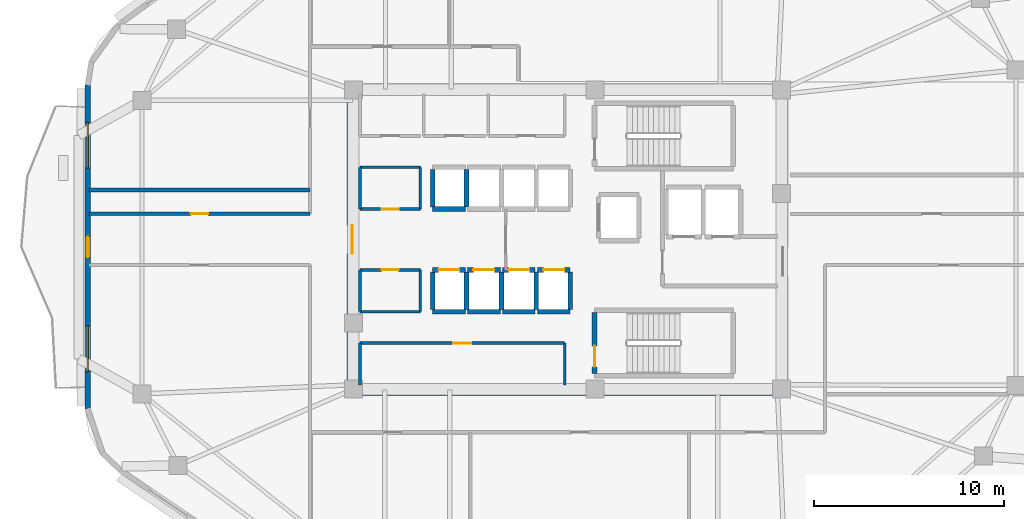
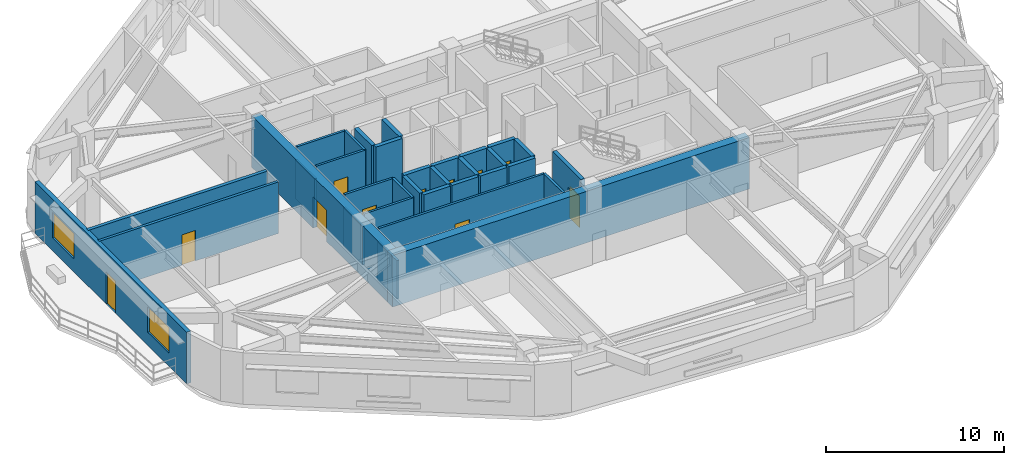
# One storey, part 3 of 9: 33 walls, 11 doors, 2 windows, 13 openings.
"""IFC4 building model written with IfcOpenShell, lengths in metres."""

from ifc_helpers import new_model, si_unit, direction, frame, frame_2d, origin, place, context, subcontext, project, spatial, rectangle, extrude, material, layer, layer_set, type_object, element, fill, save


model = new_model("IFC4")

# Units and contexts
model_context = context("Model", 3, precision=1e-05, world=origin(), true_north=direction((0.0, 1.0)))
body_context = subcontext(model_context, "Body", "Model", "MODEL_VIEW")
ifc_project = project(units=[si_unit("LENGTHUNIT", "METRE"), si_unit("AREAUNIT", "SQUARE_METRE"), si_unit("VOLUMEUNIT", "CUBIC_METRE"), si_unit("PLANEANGLEUNIT", "RADIAN"), si_unit("MASSUNIT", "GRAM", prefix="KILO")], contexts=[model_context])

# Site, building, storey
site_placement = place(None, origin())
site = spatial("IfcSite", under=ifc_project, at=site_placement, CompositionType="ELEMENT")
building_placement = place(site_placement, origin())
building = spatial("IfcBuilding", under=site, at=building_placement, Name="Zulverin Broadcast Headquarters", CompositionType="ELEMENT")
storey_placement = place(building_placement, frame((0.0, 0.0, 197.199951171875)))
storey = spatial("IfcBuildingStorey", under=building, at=storey_placement, Name="L50", CompositionType="ELEMENT", Elevation=197.199951171875)

# Walls
ifc_material_1 = material(Name="Double-stud acoustic drywall", Category="gypsum")
ifc_layer_1 = layer(ifc_material_1, 0.219970703125, Name="Double-stud acoustic drywall", Category="gypsum")
ifc_layer_set_1 = layer_set([ifc_layer_1], Name="Double-stud acoustic drywall")
wall_type_1 = type_object("IfcWallType", Name="WL-ACOU-220", PredefinedType="PARTITIONING", material=ifc_layer_set_1)
wall_1_placement = place(storey_placement, frame((11.804931640625, 27.800048828125, 0.0), z_axis=(0.0, 0.0, 1.0), x_axis=(1.0, 0.0, 0.0)))
element("IfcWall", 1, at=wall_1_placement, inside=storey, type_object=wall_type_1, Name="L50 Room Partition Wall RP-14", PredefinedType="PARTITIONING", context=body_context, shape_type="SweptSolid", body=[
    extrude(rectangle(XDim=11.64501953125, YDim=0.219970703125, at=frame_2d((5.822509765625, 0.0))), origin(), (0.0, 0.0, 1.0), 3.5400390625),
])
ifc_material_2 = material(Name="Concrete C60/75", Category="concrete")
ifc_layer_2 = layer(ifc_material_2, 0.550048828125, Name="Concrete C60/75", Category="concrete")
ifc_layer_set_2 = layer_set([ifc_layer_2], Name="Concrete C60/75")
wall_type_2 = type_object("IfcWallType", Name="WL-CORE-550", PredefinedType="SHEAR", material=ifc_layer_set_2)
wall_2_placement = place(storey_placement, frame((25.39990234375, 17.27490234375, 0.0), z_axis=(0.0, 0.0, 1.0), x_axis=(1.0, 0.0, 0.0)))
element("IfcWall", 2, at=wall_2_placement, inside=storey, type_object=wall_type_2, Name="L50 Core South Shear Wall", PredefinedType="SHEAR", context=body_context, shape_type="SweptSolid", body=[
    extrude(rectangle(XDim=23.2001953125, YDim=0.550048828125, at=frame_2d((11.60009765625, 0.0))), origin(), (0.0, 0.0, 1.0), 3.5400390625),
])

# Wall, opening, door
wall_3_placement = place(storey_placement, frame((25.675048828125, 17.550048828125, 0.0), z_axis=(0.0, 0.0, 1.0), x_axis=(0.0, 1.0, 0.0)))
wall_3 = element("IfcWall", 3, at=wall_3_placement, inside=storey, type_object=wall_type_2, Name="L50 Core West Shear Wall", PredefinedType="SHEAR", context=body_context, shape_type="SweptSolid", body=[
    extrude(rectangle(XDim=15.300048828125, YDim=0.550048828125, at=frame_2d((7.64990234375, 0.0))), origin(), (0.0, 0.0, 1.0), 3.5400390625),
])
opening_1_placement = place(wall_3_placement, frame((6.89990234375, 0.0, 0.0)))
opening_1 = element("IfcOpeningElement", 4, at=opening_1_placement, cuts=wall_3, Name="Opening D-L50-CW1", PredefinedType="OPENING", context=body_context, shape_type="SweptSolid", body=[
    extrude(rectangle(XDim=1.5, YDim=2.14990234375, at=frame_2d((0.75, 1.074951171875))), frame((0.0, 0.284912109375, 0.0), z_axis=(0.0, -1.0, 0.0), x_axis=(1.0, 0.0, 0.0)), (0.0, 0.0, 1.0), 0.570068359375),
])
ifc_material_3 = material(Name="Fire-rated glazed steel frame", Category="steel")
door_type_1 = type_object("IfcDoorType", Name="DR-COR-1500", OperationType="DOUBLE_DOOR_SINGLE_SWING", PredefinedType="DOOR", material=ifc_material_3)
door_1_placement = place(opening_1_placement, origin())
door_1 = element("IfcDoor", 5, at=door_1_placement, inside=storey, type_object=door_type_1, Name="L50 Central Lift Lobby West Portal Door", OperationType="DOUBLE_DOOR_SINGLE_SWING", OverallHeight=2.14990234375, OverallWidth=1.5, PredefinedType="DOOR", context=body_context, shape_type="SweptSolid", body=[
    extrude(rectangle(XDim=1.5, YDim=2.14990234375, at=frame_2d((0.75, 1.074951171875))), frame((0.0, 0.02490234375, 0.0), z_axis=(0.0, -1.0, 0.0), x_axis=(1.0, 0.0, 0.0)), (0.0, 0.0, 1.0), 0.050048828125),
])
fill(opening_1, door_1)

# Wall, openings, door, windows
ifc_material_4 = material(Name="Insulated pale-metal clad concrete spandrel C40/50", Category="concrete")
ifc_layer_3 = layer(ifc_material_4, 0.280029296875, Name="Insulated pale-metal clad concrete spandrel C40/50", Category="concrete")
ifc_layer_set_3 = layer_set([ifc_layer_3], Name="Insulated pale-metal clad concrete spandrel C40/50")
wall_type_3 = type_object("IfcWallType", Name="WL-EXT-280", PredefinedType="STANDARD", material=ifc_layer_set_3)
wall_4_placement = place(storey_placement, frame((11.739990234375, 33.34033203125, 0.0), z_axis=(0.0, 0.0, 1.0), x_axis=(0.0, -1.0, 0.0)))
wall_4 = element("IfcWall", 6, at=wall_4_placement, inside=storey, type_object=wall_type_3, Name="L50 Pale-Metal Clad Spandrel Wall 7", PredefinedType="STANDARD", context=body_context, shape_type="SweptSolid", body=[
    extrude(rectangle(XDim=17.07275390625, YDim=0.280029296875, at=frame_2d((8.536376953125, 0.0))), origin(), (0.0, 0.0, 1.0), 3.5400390625),
])
opening_2_placement = place(wall_4_placement, frame((7.986328125, 0.0, 0.0)))
opening_2 = element("IfcOpeningElement", 7, at=opening_2_placement, cuts=wall_4, Name="Opening D-L50-TR7", PredefinedType="OPENING", context=body_context, shape_type="SweptSolid", body=[
    extrude(rectangle(XDim=1.10009765625, YDim=2.199951171875, at=frame_2d((0.550048828125, 1.10009765625))), frame((0.0, 0.14990234375, 0.0), z_axis=(0.0, -1.0, 0.0), x_axis=(1.0, 0.0, 0.0)), (0.0, 0.0, 1.0), 0.300048828125),
])
opening_3_placement = place(wall_4_placement, frame((1.978759765625, 0.0, 0.89990234375)))
opening_3 = element("IfcOpeningElement", 8, at=opening_3_placement, cuts=wall_4, Name="Opening W-L50-E71", PredefinedType="OPENING", context=body_context, shape_type="SweptSolid", body=[
    extrude(rectangle(XDim=2.39990234375, YDim=1.75, at=frame_2d((1.199951171875, 0.875))), frame((0.0, 0.14990234375, 0.0), z_axis=(0.0, -1.0, 0.0), x_axis=(1.0, 0.0, 0.0)), (0.0, 0.0, 1.0), 0.300048828125),
])
opening_4_placement = place(wall_4_placement, frame((12.69384765625, 0.0, 0.89990234375)))
opening_4 = element("IfcOpeningElement", 9, at=opening_4_placement, cuts=wall_4, Name="Opening W-L50-E72", PredefinedType="OPENING", context=body_context, shape_type="SweptSolid", body=[
    extrude(rectangle(XDim=2.39990234375, YDim=1.75, at=frame_2d((1.199951171875, 0.875))), frame((0.0, 0.14990234375, 0.0), z_axis=(0.0, -1.0, 0.0), x_axis=(1.0, 0.0, 0.0)), (0.0, 0.0, 1.0), 0.300048828125),
])
ifc_material_5 = material(Name="Thermally broken aluminium glazed", Category="aluminium")
door_type_2 = type_object("IfcDoorType", Name="DR-TERR-1100", OperationType="SINGLE_SWING_RIGHT", PredefinedType="DOOR", material=ifc_material_5)
door_2_placement = place(opening_2_placement, origin())
door_2 = element("IfcDoor", 10, at=door_2_placement, inside=storey, type_object=door_type_2, Name="L50 Planted Terrace Glazed Access Door 7", OperationType="SINGLE_SWING_RIGHT", OverallHeight=2.199951171875, OverallWidth=1.10009765625, PredefinedType="DOOR", context=body_context, shape_type="SweptSolid", body=[
    extrude(rectangle(XDim=1.10009765625, YDim=2.199951171875, at=frame_2d((0.550048828125, 1.10009765625))), frame((0.0, 0.02490234375, 0.0), z_axis=(0.0, -1.0, 0.0), x_axis=(1.0, 0.0, 0.0)), (0.0, 0.0, 1.0), 0.050048828125),
])
fill(opening_2, door_2)
ifc_material_6 = material(Name="Pale anodized aluminium frame with solar-control low-E double glazing", Category="aluminium")
window_type = type_object("IfcWindowType", Name="WIN-RIB-2400", PartitioningType="SINGLE_PANEL", PredefinedType="WINDOW", material=ifc_material_6)
window_1_placement = place(opening_3_placement, origin())
window_1 = element("IfcWindow", 11, at=window_1_placement, inside=storey, type_object=window_type, Name="L50 Ribbon Glazing Window 7 1", OverallHeight=1.75, OverallWidth=2.39990234375, PartitioningType="SINGLE_PANEL", PredefinedType="WINDOW", context=body_context, shape_type="SweptSolid", body=[
    extrude(rectangle(XDim=2.39990234375, YDim=1.75, at=frame_2d((1.199951171875, 0.875))), frame((0.0, 0.030029296875, 0.0), z_axis=(0.0, -1.0, 0.0), x_axis=(1.0, 0.0, 0.0)), (0.0, 0.0, 1.0), 0.06005859375),
])
fill(opening_3, window_1)
window_2_placement = place(opening_4_placement, origin())
window_2 = element("IfcWindow", 12, at=window_2_placement, inside=storey, type_object=window_type, Name="L50 Ribbon Glazing Window 7 2", OverallHeight=1.75, OverallWidth=2.39990234375, PartitioningType="SINGLE_PANEL", PredefinedType="WINDOW", context=body_context, shape_type="SweptSolid", body=[
    extrude(rectangle(XDim=2.39990234375, YDim=1.75, at=frame_2d((1.199951171875, 0.875))), frame((0.0, 0.030029296875, 0.0), z_axis=(0.0, -1.0, 0.0), x_axis=(1.0, 0.0, 0.0)), (0.0, 0.0, 1.0), 0.06005859375),
])
fill(opening_4, window_2)

# Wall, opening, door
ifc_material_7 = material(Name="Fire-rated gypsum stud partition", Category="gypsum")
ifc_layer_4 = layer(ifc_material_7, 0.14990234375, Name="Fire-rated gypsum stud partition", Category="gypsum")
ifc_layer_set_4 = layer_set([ifc_layer_4], Name="Fire-rated gypsum stud partition")
wall_type_4 = type_object("IfcWallType", Name="WL-PART-150", PredefinedType="PARTITIONING", material=ifc_layer_set_4)
wall_5_placement = place(storey_placement, frame((26.070068359375, 19.75, 0.0), z_axis=(0.0, 0.0, 1.0), x_axis=(1.0, 0.0, 0.0)))
wall_5 = element("IfcWall", 13, at=wall_5_placement, inside=storey, type_object=wall_type_4, Name="L50 Core Female WC & Facilities Room Front Wall", PredefinedType="PARTITIONING", context=body_context, shape_type="SweptSolid", body=[
    extrude(rectangle(XDim=10.780029296875, YDim=0.14990234375, at=frame_2d((5.39013671875, 0.0))), origin(), (0.0, 0.0, 1.0), 3.5400390625),
])
opening_5_placement = place(wall_5_placement, frame((4.9150390625, 0.0, 0.0)))
opening_5 = element("IfcOpeningElement", 14, at=opening_5_placement, cuts=wall_5, Name="Opening D-L50-SC1", PredefinedType="OPENING", context=body_context, shape_type="SweptSolid", body=[
    extrude(rectangle(XDim=0.949951171875, YDim=2.10009765625, at=frame_2d((0.47509765625, 1.050048828125))), frame((0.0, 0.0849609375, 0.0), z_axis=(0.0, -1.0, 0.0), x_axis=(1.0, 0.0, 0.0)), (0.0, 0.0, 1.0), 0.169921875),
])
ifc_material_8 = material(Name="Fire-rated moisture-resistant laminate leaf", Category="wood")
door_type_3 = type_object("IfcDoorType", Name="DR-WC-950", OperationType="SINGLE_SWING_LEFT", PredefinedType="DOOR", material=ifc_material_8)
door_3_placement = place(opening_5_placement, origin())
door_3 = element("IfcDoor", 15, at=door_3_placement, inside=storey, type_object=door_type_3, Name="L50 Female WC & Facilities Room Door", OperationType="SINGLE_SWING_RIGHT", OverallHeight=2.10009765625, OverallWidth=0.949951171875, PredefinedType="DOOR", context=body_context, shape_type="SweptSolid", body=[
    extrude(rectangle(XDim=0.949951171875, YDim=2.10009765625, at=frame_2d((0.47509765625, 1.050048828125))), frame((0.0, 0.02490234375, 0.0), z_axis=(0.0, -1.0, 0.0), x_axis=(1.0, 0.0, 0.0)), (0.0, 0.0, 1.0), 0.050048828125),
])
fill(opening_5, door_3)

# Walls
wall_6_placement = place(storey_placement, frame((26.070068359375, 17.550048828125, 0.0), z_axis=(0.0, 0.0, 1.0), x_axis=(0.0, 1.0, 0.0)))
element("IfcWall", 16, at=wall_6_placement, inside=storey, type_object=wall_type_4, Name="L50 Core Female WC & Facilities Room West Wall", PredefinedType="PARTITIONING", context=body_context, shape_type="SweptSolid", body=[
    extrude(rectangle(XDim=2.199951171875, YDim=0.14990234375, at=frame_2d((1.10009765625, 0.0))), origin(), (0.0, 0.0, 1.0), 2.64013671875),
])
wall_7_placement = place(storey_placement, frame((36.85009765625, 17.550048828125, 0.0), z_axis=(0.0, 0.0, 1.0), x_axis=(0.0, 1.0, 0.0)))
element("IfcWall", 17, at=wall_7_placement, inside=storey, type_object=wall_type_4, Name="L50 Core Female WC & Facilities Room East Wall", PredefinedType="PARTITIONING", context=body_context, shape_type="SweptSolid", body=[
    extrude(rectangle(XDim=2.199951171875, YDim=0.14990234375, at=frame_2d((1.10009765625, 0.0))), origin(), (0.0, 0.0, 1.0), 3.5400390625),
])

# Wall, opening, door
wall_8_placement = place(storey_placement, frame((26.070068359375, 26.800048828125, 0.0), z_axis=(0.0, 0.0, 1.0), x_axis=(1.0, 0.0, 0.0)))
wall_8 = element("IfcWall", 18, at=wall_8_placement, inside=storey, type_object=wall_type_4, Name="L50 Core UPS Battery Store S Wall", PredefinedType="PARTITIONING", context=body_context, shape_type="SweptSolid", body=[
    extrude(rectangle(XDim=3.179931640625, YDim=0.14990234375, at=frame_2d((1.58984375, 0.0))), origin(), (0.0, 0.0, 1.0), 3.5400390625),
])
opening_6_placement = place(wall_8_placement, frame((1.139892578125, 0.0, 0.0)))
opening_6 = element("IfcOpeningElement", 19, at=opening_6_placement, cuts=wall_8, Name="Opening D-L50-RCLN", PredefinedType="OPENING", context=body_context, shape_type="SweptSolid", body=[
    extrude(rectangle(XDim=0.89990234375, YDim=2.10009765625, at=frame_2d((0.449951171875, 1.050048828125))), frame((0.0, 0.0849609375, 0.0), z_axis=(0.0, -1.0, 0.0), x_axis=(1.0, 0.0, 0.0)), (0.0, 0.0, 1.0), 0.169921875),
])
ifc_material_9 = material(Name="Powder-coated steel access leaf", Category="steel")
door_type_4 = type_object("IfcDoorType", Name="DR-RISER-900", OperationType="SINGLE_SWING_LEFT", PredefinedType="DOOR", material=ifc_material_9)
door_4_placement = place(opening_6_placement, origin())
door_4 = element("IfcDoor", 20, at=door_4_placement, inside=storey, type_object=door_type_4, Name="L50 Core UPS Battery Store Door", OperationType="SINGLE_SWING_LEFT", OverallHeight=2.10009765625, OverallWidth=0.89990234375, PredefinedType="DOOR", context=body_context, shape_type="SweptSolid", body=[
    extrude(rectangle(XDim=0.89990234375, YDim=2.10009765625, at=frame_2d((0.449951171875, 1.050048828125))), frame((0.0, 0.02490234375, 0.0), z_axis=(0.0, -1.0, 0.0), x_axis=(1.0, 0.0, 0.0)), (0.0, 0.0, 1.0), 0.050048828125),
])
fill(opening_6, door_4)

# Walls
wall_9_placement = place(storey_placement, frame((26.070068359375, 29.0, 0.0), z_axis=(0.0, 0.0, 1.0), x_axis=(1.0, 0.0, 0.0)))
element("IfcWall", 21, at=wall_9_placement, inside=storey, type_object=wall_type_4, Name="L50 Core UPS Battery Store N Wall", PredefinedType="PARTITIONING", context=body_context, shape_type="SweptSolid", body=[
    extrude(rectangle(XDim=3.179931640625, YDim=0.14990234375, at=frame_2d((1.58984375, 0.0))), origin(), (0.0, 0.0, 1.0), 3.5400390625),
])
wall_10_placement = place(storey_placement, frame((26.070068359375, 26.800048828125, 0.0), z_axis=(0.0, 0.0, 1.0), x_axis=(0.0, 1.0, 0.0)))
element("IfcWall", 22, at=wall_10_placement, inside=storey, type_object=wall_type_4, Name="L50 Core UPS Battery Store W Wall", PredefinedType="PARTITIONING", context=body_context, shape_type="SweptSolid", body=[
    extrude(rectangle(XDim=2.199951171875, YDim=0.14990234375, at=frame_2d((1.10009765625, 0.0))), origin(), (0.0, 0.0, 1.0), 2.64013671875),
])
wall_11_placement = place(storey_placement, frame((29.25, 26.800048828125, 0.0), z_axis=(0.0, 0.0, 1.0), x_axis=(0.0, 1.0, 0.0)))
element("IfcWall", 23, at=wall_11_placement, inside=storey, type_object=wall_type_4, Name="L50 Core UPS Battery Store E Wall", PredefinedType="PARTITIONING", context=body_context, shape_type="SweptSolid", body=[
    extrude(rectangle(XDim=2.199951171875, YDim=0.14990234375, at=frame_2d((1.10009765625, 0.0))), origin(), (0.0, 0.0, 1.0), 3.5400390625),
])
wall_12_placement = place(storey_placement, frame((26.070068359375, 21.39990234375, 0.0), z_axis=(0.0, 0.0, 1.0), x_axis=(1.0, 0.0, 0.0)))
element("IfcWall", 24, at=wall_12_placement, inside=storey, type_object=wall_type_4, Name="L50 Media Ingestion Server Room S Wall", PredefinedType="PARTITIONING", context=body_context, shape_type="SweptSolid", body=[
    extrude(rectangle(XDim=3.179931640625, YDim=0.14990234375, at=frame_2d((1.58984375, 0.0))), origin(), (0.0, 0.0, 1.0), 3.5400390625),
])

# Wall, opening, door
wall_13_placement = place(storey_placement, frame((26.070068359375, 23.60009765625, 0.0), z_axis=(0.0, 0.0, 1.0), x_axis=(1.0, 0.0, 0.0)))
wall_13 = element("IfcWall", 25, at=wall_13_placement, inside=storey, type_object=wall_type_4, Name="L50 Media Ingestion Server Room N Wall", PredefinedType="PARTITIONING", context=body_context, shape_type="SweptSolid", body=[
    extrude(rectangle(XDim=3.179931640625, YDim=0.14990234375, at=frame_2d((1.58984375, 0.0))), origin(), (0.0, 0.0, 1.0), 3.5400390625),
])
opening_7_placement = place(wall_13_placement, frame((1.139892578125, 0.0, 0.0)))
opening_7 = element("IfcOpeningElement", 26, at=opening_7_placement, cuts=wall_13, Name="Opening D-L50-RCLS", PredefinedType="OPENING", context=body_context, shape_type="SweptSolid", body=[
    extrude(rectangle(XDim=0.89990234375, YDim=2.10009765625, at=frame_2d((0.449951171875, 1.050048828125))), frame((0.0, 0.0849609375, 0.0), z_axis=(0.0, -1.0, 0.0), x_axis=(1.0, 0.0, 0.0)), (0.0, 0.0, 1.0), 0.169921875),
])
door_5_placement = place(opening_7_placement, origin())
door_5 = element("IfcDoor", 27, at=door_5_placement, inside=storey, type_object=door_type_4, Name="L50 Media Ingestion Server Room Door", OperationType="SINGLE_SWING_RIGHT", OverallHeight=2.10009765625, OverallWidth=0.89990234375, PredefinedType="DOOR", context=body_context, shape_type="SweptSolid", body=[
    extrude(rectangle(XDim=0.89990234375, YDim=2.10009765625, at=frame_2d((0.449951171875, 1.050048828125))), frame((0.0, 0.02490234375, 0.0), z_axis=(0.0, -1.0, 0.0), x_axis=(1.0, 0.0, 0.0)), (0.0, 0.0, 1.0), 0.050048828125),
])
fill(opening_7, door_5)

# Walls
wall_14_placement = place(storey_placement, frame((26.070068359375, 21.39990234375, 0.0), z_axis=(0.0, 0.0, 1.0), x_axis=(0.0, 1.0, 0.0)))
element("IfcWall", 28, at=wall_14_placement, inside=storey, type_object=wall_type_4, Name="L50 Media Ingestion Server Room W Wall", PredefinedType="PARTITIONING", context=body_context, shape_type="SweptSolid", body=[
    extrude(rectangle(XDim=2.2001953125, YDim=0.14990234375, at=frame_2d((1.10009765625, 0.0))), origin(), (0.0, 0.0, 1.0), 2.64013671875),
])
wall_15_placement = place(storey_placement, frame((29.25, 21.39990234375, 0.0), z_axis=(0.0, 0.0, 1.0), x_axis=(0.0, 1.0, 0.0)))
element("IfcWall", 29, at=wall_15_placement, inside=storey, type_object=wall_type_4, Name="L50 Media Ingestion Server Room E Wall", PredefinedType="PARTITIONING", context=body_context, shape_type="SweptSolid", body=[
    extrude(rectangle(XDim=2.2001953125, YDim=0.14990234375, at=frame_2d((1.10009765625, 0.0))), origin(), (0.0, 0.0, 1.0), 3.5400390625),
])

# Wall, opening, door
ifc_material_10 = material(Name="Fire-rated acoustic stud wall", Category="gypsum")
ifc_layer_5 = layer(ifc_material_10, 0.175048828125, Name="Fire-rated acoustic stud wall", Category="gypsum")
ifc_layer_set_5 = layer_set([ifc_layer_5], Name="Fire-rated acoustic stud wall")
wall_type_5 = type_object("IfcWallType", Name="WL-PART-175", PredefinedType="PARTITIONING", material=ifc_layer_set_5)
wall_16_placement = place(storey_placement, frame((11.804931640625, 26.550048828125, 0.0), z_axis=(0.0, 0.0, 1.0), x_axis=(1.0, 0.0, 0.0)))
wall_16 = element("IfcWall", 30, at=wall_16_placement, inside=storey, type_object=wall_type_5, Name="L50 Gallery Partition Wall CG-12", PredefinedType="PARTITIONING", context=body_context, shape_type="SweptSolid", body=[
    extrude(rectangle(XDim=11.64501953125, YDim=0.175048828125, at=frame_2d((5.822509765625, 0.0))), origin(), (0.0, 0.0, 1.0), 3.5400390625),
])
opening_8_placement = place(wall_16_placement, frame((5.37255859375, 0.0, 0.0)))
opening_8 = element("IfcOpeningElement", 31, at=opening_8_placement, cuts=wall_16, Name="Opening D-L50-07", PredefinedType="OPENING", context=body_context, shape_type="SweptSolid", body=[
    extrude(rectangle(XDim=0.89990234375, YDim=2.10009765625, at=frame_2d((0.449951171875, 1.050048828125))), frame((0.0, 0.097412109375, 0.0), z_axis=(0.0, -1.0, 0.0), x_axis=(1.0, 0.0, 0.0)), (0.0, 0.0, 1.0), 0.195068359375),
])
ifc_material_11 = material(Name="Fire-rated hardwood veneer timber leaf", Category="wood")
door_type_5 = type_object("IfcDoorType", Name="DR-ROOM-900", OperationType="SINGLE_SWING_RIGHT", PredefinedType="DOOR", material=ifc_material_11)
door_6_placement = place(opening_8_placement, origin())
door_6 = element("IfcDoor", 32, at=door_6_placement, inside=storey, type_object=door_type_5, Name="L50 Main Catering Servery Door", OperationType="SINGLE_SWING_RIGHT", OverallHeight=2.10009765625, OverallWidth=0.89990234375, PredefinedType="DOOR", context=body_context, shape_type="SweptSolid", body=[
    extrude(rectangle(XDim=0.89990234375, YDim=2.10009765625, at=frame_2d((0.449951171875, 1.050048828125))), frame((0.0, 0.02490234375, 0.0), z_axis=(0.0, -1.0, 0.0), x_axis=(1.0, 0.0, 0.0)), (0.0, 0.0, 1.0), 0.050048828125),
])
fill(opening_8, door_6)

ifc_material_12 = material(Name="Concrete C50/60", Category="concrete")
ifc_layer_6 = layer(ifc_material_12, 0.25, Name="Concrete C50/60", Category="concrete")
ifc_layer_set_6 = layer_set([ifc_layer_6], Name="Concrete C50/60")
wall_type_6 = type_object("IfcWallType", Name="WL-SHAFT-250", PredefinedType="SHEAR", material=ifc_layer_set_6)
wall_17_placement = place(storey_placement, frame((38.425048828125, 18.14990234375, 0.0), z_axis=(0.0, 0.0, 1.0), x_axis=(0.0, 1.0, 0.0)))
wall_17 = element("IfcWall", 33, at=wall_17_placement, inside=storey, type_object=wall_type_6, Name="L50 ST-2 Enclosure Wall W", PredefinedType="SHEAR", context=body_context, shape_type="SweptSolid", body=[
    extrude(rectangle(XDim=3.2001953125, YDim=0.25, at=frame_2d((1.60009765625, 0.0))), origin(), (0.0, 0.0, 1.0), 3.5400390625),
])
opening_9_placement = place(wall_17_placement, frame((0.35009765625, 0.0, 0.0)))
opening_9 = element("IfcOpeningElement", 34, at=opening_9_placement, cuts=wall_17, Name="Opening D-L50-ST-2", PredefinedType="OPENING", context=body_context, shape_type="SweptSolid", body=[
    extrude(rectangle(XDim=1.10009765625, YDim=2.14990234375, at=frame_2d((0.550048828125, 1.074951171875))), frame((0.0, 0.135009765625, 0.0), z_axis=(0.0, -1.0, 0.0), x_axis=(1.0, 0.0, 0.0)), (0.0, 0.0, 1.0), 0.27001953125),
])
ifc_material_13 = material(Name="Fire-rated steel leaf and frame", Category="steel")
door_type_6 = type_object("IfcDoorType", Name="DR-STAIR-1100", OperationType="SINGLE_SWING_LEFT", PredefinedType="DOOR", material=ifc_material_13)
door_7_placement = place(opening_9_placement, origin())
door_7 = element("IfcDoor", 35, at=door_7_placement, inside=storey, type_object=door_type_6, Name="L50 Exit Stair ST-2 Fire Door", OperationType="SINGLE_SWING_RIGHT", OverallHeight=2.14990234375, OverallWidth=1.10009765625, PredefinedType="DOOR", context=body_context, shape_type="SweptSolid", body=[
    extrude(rectangle(XDim=1.10009765625, YDim=2.14990234375, at=frame_2d((0.550048828125, 1.074951171875))), frame((0.0, 0.02490234375, 0.0), z_axis=(0.0, -1.0, 0.0), x_axis=(1.0, 0.0, 0.0)), (0.0, 0.0, 1.0), 0.050048828125),
])
fill(opening_9, door_7)

# Wall
wall_18_placement = place(storey_placement, frame((29.89990234375, 21.39990234375, 0.0), z_axis=(0.0, 0.0, 1.0), x_axis=(1.0, 0.0, 0.0)))
element("IfcWall", 36, at=wall_18_placement, inside=storey, type_object=wall_type_6, Name="L50 Lift PL-M1 Shaft Wall S", PredefinedType="SHEAR", context=body_context, shape_type="SweptSolid", body=[
    extrude(rectangle(XDim=1.72021484375, YDim=0.25, at=frame_2d((0.860107421875, 0.0))), origin(), (0.0, 0.0, 1.0), 3.5400390625),
])

# Wall, opening, door
wall_19_placement = place(storey_placement, frame((29.89990234375, 23.60009765625, 0.0), z_axis=(0.0, 0.0, 1.0), x_axis=(1.0, 0.0, 0.0)))
wall_19 = element("IfcWall", 37, at=wall_19_placement, inside=storey, type_object=wall_type_6, Name="L50 Lift PL-M1 Shaft Wall N", PredefinedType="SHEAR", context=body_context, shape_type="SweptSolid", body=[
    extrude(rectangle(XDim=1.72021484375, YDim=0.25, at=frame_2d((0.860107421875, 0.0))), origin(), (0.0, 0.0, 1.0), 3.5400390625),
])
opening_10_placement = place(wall_19_placement, frame((0.31005859375, 0.0, 0.0)))
opening_10 = element("IfcOpeningElement", 38, at=opening_10_placement, cuts=wall_19, Name="Opening LD-PL-M1-L50", PredefinedType="OPENING", context=body_context, shape_type="SweptSolid", body=[
    extrude(rectangle(XDim=1.10009765625, YDim=2.14990234375, at=frame_2d((0.550048828125, 1.074951171875))), frame((0.0, 0.135009765625, 0.0), z_axis=(0.0, -1.0, 0.0), x_axis=(1.0, 0.0, 0.0)), (0.0, 0.0, 1.0), 0.27001953125),
])
ifc_material_14 = material(Name="Brushed stainless steel landing", Category="steel")
door_type_7 = type_object("IfcDoorType", Name="LD-PASS-1100", OperationType="DOUBLE_DOOR_SLIDING", PredefinedType="DOOR", material=ifc_material_14)
door_8_placement = place(opening_10_placement, origin())
door_8 = element("IfcDoor", 39, at=door_8_placement, inside=storey, type_object=door_type_7, Name="L50 Lift PL-M1 Sliding Landing Door", OperationType="DOUBLE_DOOR_SLIDING", OverallHeight=2.14990234375, OverallWidth=1.10009765625, PredefinedType="DOOR", context=body_context, shape_type="SweptSolid", body=[
    extrude(rectangle(XDim=1.10009765625, YDim=2.14990234375, at=frame_2d((0.550048828125, 1.074951171875))), frame((0.0, 0.02490234375, 0.0), z_axis=(0.0, -1.0, 0.0), x_axis=(1.0, 0.0, 0.0)), (0.0, 0.0, 1.0), 0.050048828125),
])
fill(opening_10, door_8)

# Walls
for number, where, z_axis, x_axis, name in (
    (40, (29.89990234375, 21.52001953125, 0.0), (0.0, 0.0, 1.0), (0.0, 1.0, 0.0), "L50 Lift PL-M1 Shaft Wall W"),
    (41, (31.679931640625, 21.52001953125, 0.0), (0.0, 0.0, 1.0), (0.0, 1.0, 0.0), "L50 Lift PL-M1 Shaft Wall E"),
):
    element("IfcWall", number, at=place(storey_placement, frame(where, z_axis=z_axis, x_axis=x_axis)), inside=storey, type_object=wall_type_6, Name=name, PredefinedType="SHEAR", context=body_context, shape_type="SweptSolid", body=[
        extrude(rectangle(XDim=1.9599609375, YDim=0.25, at=frame_2d((0.97998046875, 0.0))), origin(), (0.0, 0.0, 1.0), 3.5400390625),
    ])
wall_20_placement = place(storey_placement, frame((31.739990234375, 21.39990234375, 0.0), z_axis=(0.0, 0.0, 1.0), x_axis=(1.0, 0.0, 0.0)))
element("IfcWall", 42, at=wall_20_placement, inside=storey, type_object=wall_type_6, Name="L50 Lift PL-M2 Shaft Wall S", PredefinedType="SHEAR", context=body_context, shape_type="SweptSolid", body=[
    extrude(rectangle(XDim=1.719970703125, YDim=0.25, at=frame_2d((0.85986328125, 0.0))), origin(), (0.0, 0.0, 1.0), 3.5400390625),
])

# Wall, opening, door
wall_21_placement = place(storey_placement, frame((31.739990234375, 23.60009765625, 0.0), z_axis=(0.0, 0.0, 1.0), x_axis=(1.0, 0.0, 0.0)))
wall_21 = element("IfcWall", 43, at=wall_21_placement, inside=storey, type_object=wall_type_6, Name="L50 Lift PL-M2 Shaft Wall N", PredefinedType="SHEAR", context=body_context, shape_type="SweptSolid", body=[
    extrude(rectangle(XDim=1.719970703125, YDim=0.25, at=frame_2d((0.85986328125, 0.0))), origin(), (0.0, 0.0, 1.0), 3.5400390625),
])
opening_11_placement = place(wall_21_placement, frame((0.31005859375, 0.0, 0.0)))
opening_11 = element("IfcOpeningElement", 44, at=opening_11_placement, cuts=wall_21, Name="Opening LD-PL-M2-L50", PredefinedType="OPENING", context=body_context, shape_type="SweptSolid", body=[
    extrude(rectangle(XDim=1.10009765625, YDim=2.14990234375, at=frame_2d((0.550048828125, 1.074951171875))), frame((0.0, 0.135009765625, 0.0), z_axis=(0.0, -1.0, 0.0), x_axis=(1.0, 0.0, 0.0)), (0.0, 0.0, 1.0), 0.27001953125),
])
door_9_placement = place(opening_11_placement, origin())
door_9 = element("IfcDoor", 45, at=door_9_placement, inside=storey, type_object=door_type_7, Name="L50 Lift PL-M2 Sliding Landing Door", OperationType="DOUBLE_DOOR_SLIDING", OverallHeight=2.14990234375, OverallWidth=1.10009765625, PredefinedType="DOOR", context=body_context, shape_type="SweptSolid", body=[
    extrude(rectangle(XDim=1.10009765625, YDim=2.14990234375, at=frame_2d((0.550048828125, 1.074951171875))), frame((0.0, 0.02490234375, 0.0), z_axis=(0.0, -1.0, 0.0), x_axis=(1.0, 0.0, 0.0)), (0.0, 0.0, 1.0), 0.050048828125),
])
fill(opening_11, door_9)

# Walls
wall_22_placement = place(storey_placement, frame((33.52001953125, 21.52001953125, 0.0), z_axis=(0.0, 0.0, 1.0), x_axis=(0.0, 1.0, 0.0)))
element("IfcWall", 46, at=wall_22_placement, inside=storey, type_object=wall_type_6, Name="L50 Lift PL-M2 Shaft Wall E", PredefinedType="SHEAR", context=body_context, shape_type="SweptSolid", body=[
    extrude(rectangle(XDim=1.9599609375, YDim=0.25, at=frame_2d((0.97998046875, 0.0))), origin(), (0.0, 0.0, 1.0), 3.5400390625),
])
wall_23_placement = place(storey_placement, frame((33.580078125, 21.39990234375, 0.0), z_axis=(0.0, 0.0, 1.0), x_axis=(1.0, 0.0, 0.0)))
element("IfcWall", 47, at=wall_23_placement, inside=storey, type_object=wall_type_6, Name="L50 Lift PL-M3 Shaft Wall S", PredefinedType="SHEAR", context=body_context, shape_type="SweptSolid", body=[
    extrude(rectangle(XDim=1.719970703125, YDim=0.25, at=frame_2d((0.85986328125, 0.0))), origin(), (0.0, 0.0, 1.0), 3.5400390625),
])

# Wall, opening, door
wall_24_placement = place(storey_placement, frame((33.580078125, 23.60009765625, 0.0), z_axis=(0.0, 0.0, 1.0), x_axis=(1.0, 0.0, 0.0)))
wall_24 = element("IfcWall", 48, at=wall_24_placement, inside=storey, type_object=wall_type_6, Name="L50 Lift PL-M3 Shaft Wall N", PredefinedType="SHEAR", context=body_context, shape_type="SweptSolid", body=[
    extrude(rectangle(XDim=1.719970703125, YDim=0.25, at=frame_2d((0.85986328125, 0.0))), origin(), (0.0, 0.0, 1.0), 3.5400390625),
])
opening_12_placement = place(wall_24_placement, frame((0.31005859375, 0.0, 0.0)))
opening_12 = element("IfcOpeningElement", 49, at=opening_12_placement, cuts=wall_24, Name="Opening LD-PL-M3-L50", PredefinedType="OPENING", context=body_context, shape_type="SweptSolid", body=[
    extrude(rectangle(XDim=1.10009765625, YDim=2.14990234375, at=frame_2d((0.550048828125, 1.074951171875))), frame((0.0, 0.135009765625, 0.0), z_axis=(0.0, -1.0, 0.0), x_axis=(1.0, 0.0, 0.0)), (0.0, 0.0, 1.0), 0.27001953125),
])
door_10_placement = place(opening_12_placement, origin())
door_10 = element("IfcDoor", 50, at=door_10_placement, inside=storey, type_object=door_type_7, Name="L50 Lift PL-M3 Sliding Landing Door", OperationType="DOUBLE_DOOR_SLIDING", OverallHeight=2.14990234375, OverallWidth=1.10009765625, PredefinedType="DOOR", context=body_context, shape_type="SweptSolid", body=[
    extrude(rectangle(XDim=1.10009765625, YDim=2.14990234375, at=frame_2d((0.550048828125, 1.074951171875))), frame((0.0, 0.02490234375, 0.0), z_axis=(0.0, -1.0, 0.0), x_axis=(1.0, 0.0, 0.0)), (0.0, 0.0, 1.0), 0.050048828125),
])
fill(opening_12, door_10)

# Walls
wall_25_placement = place(storey_placement, frame((35.360107421875, 21.52001953125, 0.0), z_axis=(0.0, 0.0, 1.0), x_axis=(0.0, 1.0, 0.0)))
element("IfcWall", 51, at=wall_25_placement, inside=storey, type_object=wall_type_6, Name="L50 Lift PL-M3 Shaft Wall E", PredefinedType="SHEAR", context=body_context, shape_type="SweptSolid", body=[
    extrude(rectangle(XDim=1.9599609375, YDim=0.25, at=frame_2d((0.97998046875, 0.0))), origin(), (0.0, 0.0, 1.0), 3.5400390625),
])
wall_26_placement = place(storey_placement, frame((35.419921875, 21.39990234375, 0.0), z_axis=(0.0, 0.0, 1.0), x_axis=(1.0, 0.0, 0.0)))
element("IfcWall", 52, at=wall_26_placement, inside=storey, type_object=wall_type_6, Name="L50 Lift PL-M4 Shaft Wall S", PredefinedType="SHEAR", context=body_context, shape_type="SweptSolid", body=[
    extrude(rectangle(XDim=1.719970703125, YDim=0.25, at=frame_2d((0.85986328125, 0.0))), origin(), (0.0, 0.0, 1.0), 3.5400390625),
])

# Wall, opening, door
wall_27_placement = place(storey_placement, frame((35.419921875, 23.60009765625, 0.0), z_axis=(0.0, 0.0, 1.0), x_axis=(1.0, 0.0, 0.0)))
wall_27 = element("IfcWall", 53, at=wall_27_placement, inside=storey, type_object=wall_type_6, Name="L50 Lift PL-M4 Shaft Wall N", PredefinedType="SHEAR", context=body_context, shape_type="SweptSolid", body=[
    extrude(rectangle(XDim=1.719970703125, YDim=0.25, at=frame_2d((0.85986328125, 0.0))), origin(), (0.0, 0.0, 1.0), 3.5400390625),
])
opening_13_placement = place(wall_27_placement, frame((0.31005859375, 0.0, 0.0)))
opening_13 = element("IfcOpeningElement", 54, at=opening_13_placement, cuts=wall_27, Name="Opening LD-PL-M4-L50", PredefinedType="OPENING", context=body_context, shape_type="SweptSolid", body=[
    extrude(rectangle(XDim=1.10009765625, YDim=2.14990234375, at=frame_2d((0.550048828125, 1.074951171875))), frame((0.0, 0.135009765625, 0.0), z_axis=(0.0, -1.0, 0.0), x_axis=(1.0, 0.0, 0.0)), (0.0, 0.0, 1.0), 0.27001953125),
])
door_11_placement = place(opening_13_placement, origin())
door_11 = element("IfcDoor", 55, at=door_11_placement, inside=storey, type_object=door_type_7, Name="L50 Lift PL-M4 Sliding Landing Door", OperationType="DOUBLE_DOOR_SLIDING", OverallHeight=2.14990234375, OverallWidth=1.10009765625, PredefinedType="DOOR", context=body_context, shape_type="SweptSolid", body=[
    extrude(rectangle(XDim=1.10009765625, YDim=2.14990234375, at=frame_2d((0.550048828125, 1.074951171875))), frame((0.0, 0.02490234375, 0.0), z_axis=(0.0, -1.0, 0.0), x_axis=(1.0, 0.0, 0.0)), (0.0, 0.0, 1.0), 0.050048828125),
])
fill(opening_13, door_11)

# Walls
wall_28_placement = place(storey_placement, frame((37.139892578125, 21.52001953125, 0.0), z_axis=(0.0, 0.0, 1.0), x_axis=(0.0, 1.0, 0.0)))
element("IfcWall", 56, at=wall_28_placement, inside=storey, type_object=wall_type_6, Name="L50 Lift PL-M4 Shaft Wall E", PredefinedType="SHEAR", context=body_context, shape_type="SweptSolid", body=[
    extrude(rectangle(XDim=1.9599609375, YDim=0.25, at=frame_2d((0.97998046875, 0.0))), origin(), (0.0, 0.0, 1.0), 3.5400390625),
])
wall_29_placement = place(storey_placement, frame((29.89990234375, 26.800048828125, 0.0), z_axis=(0.0, 0.0, 1.0), x_axis=(1.0, 0.0, 0.0)))
element("IfcWall", 57, at=wall_29_placement, inside=storey, type_object=wall_type_6, Name="L50 Lift PL-H1 Shaft Wall S", PredefinedType="SHEAR", context=body_context, shape_type="SweptSolid", body=[
    extrude(rectangle(XDim=1.72021484375, YDim=0.25, at=frame_2d((0.860107421875, 0.0))), origin(), (0.0, 0.0, 1.0), 3.5400390625),
])
for number, where, z_axis, x_axis, name in (
    (58, (29.89990234375, 26.919921875, 0.0), (0.0, 0.0, 1.0), (0.0, 1.0, 0.0), "L50 Lift PL-H1 Shaft Wall W"),
    (59, (31.679931640625, 26.919921875, 0.0), (0.0, 0.0, 1.0), (0.0, 1.0, 0.0), "L50 Lift PL-H1 Shaft Wall E"),
):
    element("IfcWall", number, at=place(storey_placement, frame(where, z_axis=z_axis, x_axis=x_axis)), inside=storey, type_object=wall_type_6, Name=name, PredefinedType="SHEAR", context=body_context, shape_type="SweptSolid", body=[
        extrude(rectangle(XDim=1.9599609375, YDim=0.25, at=frame_2d((0.97998046875, 0.0))), origin(), (0.0, 0.0, 1.0), 3.5400390625),
    ])

save(model, "model.ifc")
